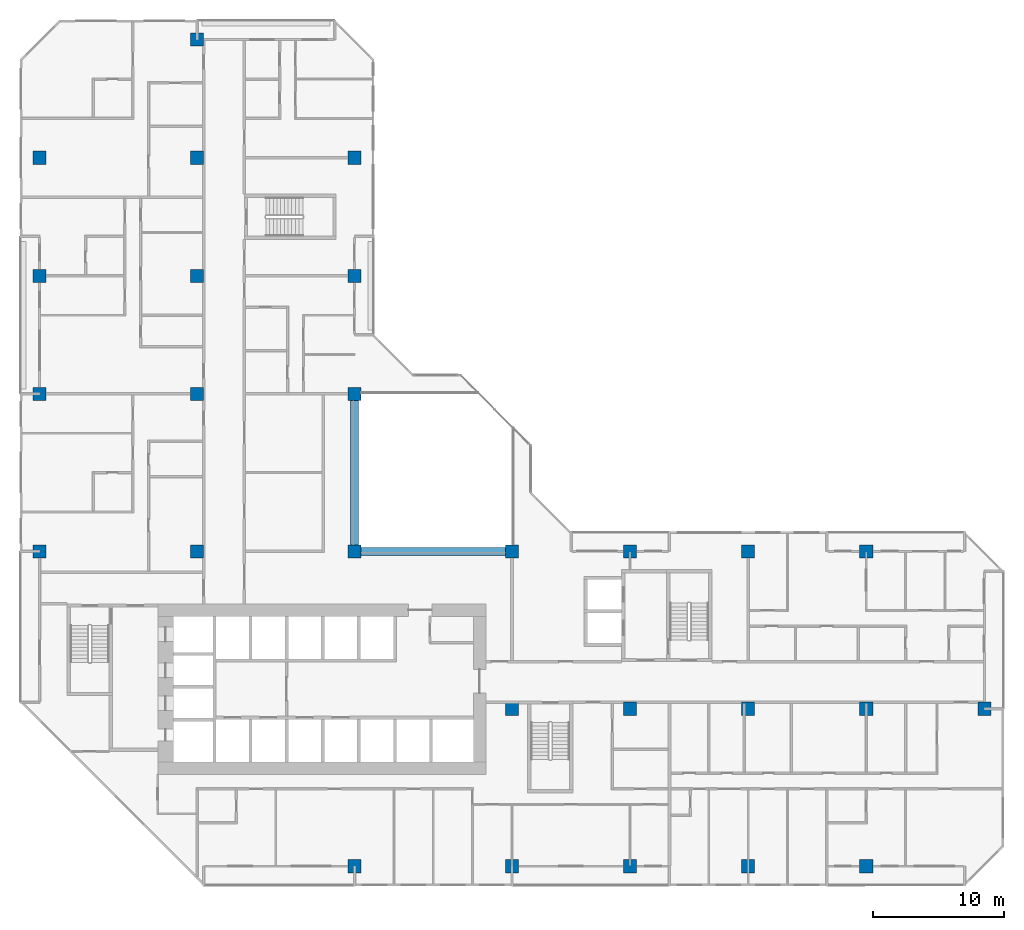
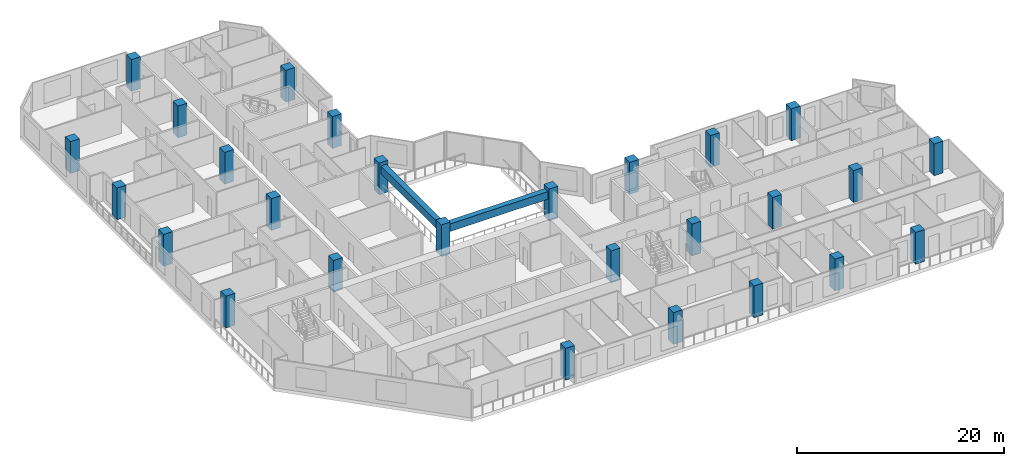
# One storey, part 1 of 15: 27 columns, 2 beams.
"""IFC4 building model written with IfcOpenShell, lengths in metres."""

from ifc_helpers import new_model, si_unit, direction, frame, origin, origin_2d, place, context, subcontext, project, spatial, rectangle, extrude, material, material_profile, profile_set, type_object, element, save


model = new_model("IFC4")

# Units and contexts
model_context = context("Model", 3, precision=1e-05, world=origin(), true_north=direction((0.0, 1.0)))
body_context = subcontext(model_context, "Body", "Model", "MODEL_VIEW")
ifc_project = project(units=[si_unit("LENGTHUNIT", "METRE"), si_unit("AREAUNIT", "SQUARE_METRE"), si_unit("VOLUMEUNIT", "CUBIC_METRE"), si_unit("PLANEANGLEUNIT", "RADIAN"), si_unit("MASSUNIT", "GRAM", prefix="KILO")], contexts=[model_context])

# Site, building, storey
site_placement = place(None, origin())
site = spatial("IfcSite", under=ifc_project, at=site_placement, CompositionType="ELEMENT")
building_placement = place(site_placement, origin())
building = spatial("IfcBuilding", under=site, at=building_placement, Name="Chenar Terraces", CompositionType="ELEMENT")
storey_placement = place(building_placement, frame((0.0, 0.0, 133.14990234375)))
storey = spatial("IfcBuildingStorey", under=building, at=storey_placement, Name="L31", CompositionType="ELEMENT", Elevation=133.14990234375)

# Columns
ifc_material_1 = material(Name="Concrete C70/85", Category="concrete")
ifc_material_profile_1 = material_profile(ifc_material_1, rectangle(XDim=1.0, YDim=1.0, at=origin_2d()), Name="C 1000 x 1000")
ifc_profile_set_1 = profile_set([ifc_material_profile_1], Name="Concrete C70/85")
column_type = type_object("IfcColumnType", Name="Column C 1000 x 1000 Concrete C70/85", PredefinedType="COLUMN", material=ifc_profile_set_1)
column_1_placement = place(storey_placement, frame((0.0, 24.0, 0.0), z_axis=(0.0, 0.0, 1.0), x_axis=(1.0, 0.0, 0.0)))
element("IfcColumn", 1, at=column_1_placement, inside=storey, type_object=column_type, Name="Column 5/G L31", PredefinedType="COLUMN", context=body_context, shape_type="SweptSolid", body=[
    extrude(rectangle(XDim=1.0, YDim=1.0, at=origin_2d()), origin(), (0.0, 0.0, 1.0), 3.75),
])
column_2_placement = place(storey_placement, frame((0.0, 36.0, 0.0), z_axis=(0.0, 0.0, 1.0), x_axis=(1.0, 0.0, 0.0)))
element("IfcColumn", 2, at=column_2_placement, inside=storey, type_object=column_type, Name="Column 5/H L31", PredefinedType="COLUMN", context=body_context, shape_type="SweptSolid", body=[
    extrude(rectangle(XDim=1.0, YDim=1.0, at=origin_2d()), origin(), (0.0, 0.0, 1.0), 3.75),
])
for number, where, z_axis, x_axis, name in (
    (3, (0.0, 45.0, 0.0), (0.0, 0.0, 1.0), (1.0, 0.0, 0.0), "Column 5/J L31"),
    (4, (0.0, 54.0, 0.0), (0.0, 0.0, 1.0), (1.0, 0.0, 0.0), "Column 5/K L31"),
    (5, (12.0, 24.0, 0.0), (0.0, 0.0, 1.0), (1.0, 0.0, 0.0), "Column 6/G L31"),
    (6, (12.0, 36.0, 0.0), (0.0, 0.0, 1.0), (1.0, 0.0, 0.0), "Column 6/H L31"),
    (7, (12.0, 45.0, 0.0), (0.0, 0.0, 1.0), (1.0, 0.0, 0.0), "Column 6/J L31"),
    (8, (12.0, 54.0, 0.0), (0.0, 0.0, 1.0), (1.0, 0.0, 0.0), "Column 6/K L31"),
    (9, (12.0, 63.0, 0.0), (0.0, 0.0, 1.0), (1.0, 0.0, 0.0), "Column 6/L L31"),
    (10, (24.0, 0.0, 0.0), (0.0, 0.0, 1.0), (1.0, 0.0, 0.0), "Column 7/E L31"),
    (11, (24.0, 24.0, 0.0), (0.0, 0.0, 1.0), (1.0, 0.0, 0.0), "Column 7/G L31"),
    (12, (24.0, 36.0, 0.0), (0.0, 0.0, 1.0), (1.0, 0.0, 0.0), "Column 7/H L31"),
    (13, (24.0, 45.0, 0.0), (0.0, 0.0, 1.0), (1.0, 0.0, 0.0), "Column 7/J L31"),
    (14, (24.0, 54.0, 0.0), (0.0, 0.0, 1.0), (1.0, 0.0, 0.0), "Column 7/K L31"),
    (15, (36.0, 0.0, 0.0), (0.0, 0.0, 1.0), (1.0, 0.0, 0.0), "Column 8/E L31"),
    (16, (36.0, 12.0, 0.0), (0.0, 0.0, 1.0), (1.0, 0.0, 0.0), "Column 8/F L31"),
    (17, (36.0, 24.0, 0.0), (0.0, 0.0, 1.0), (1.0, 0.0, 0.0), "Column 8/G L31"),
    (18, (45.0, 0.0, 0.0), (0.0, 0.0, 1.0), (1.0, 0.0, 0.0), "Column 9/E L31"),
    (19, (45.0, 12.0, 0.0), (0.0, 0.0, 1.0), (1.0, 0.0, 0.0), "Column 9/F L31"),
    (20, (45.0, 24.0, 0.0), (0.0, 0.0, 1.0), (1.0, 0.0, 0.0), "Column 9/G L31"),
    (21, (54.0, 0.0, 0.0), (0.0, 0.0, 1.0), (1.0, 0.0, 0.0), "Column 10/E L31"),
    (22, (54.0, 12.0, 0.0), (0.0, 0.0, 1.0), (1.0, 0.0, 0.0), "Column 10/F L31"),
    (23, (54.0, 24.0, 0.0), (0.0, 0.0, 1.0), (1.0, 0.0, 0.0), "Column 10/G L31"),
    (24, (63.0, 0.0, 0.0), (0.0, 0.0, 1.0), (1.0, 0.0, 0.0), "Column 11/E L31"),
    (25, (63.0, 12.0, 0.0), (0.0, 0.0, 1.0), (1.0, 0.0, 0.0), "Column 11/F L31"),
    (26, (63.0, 24.0, 0.0), (0.0, 0.0, 1.0), (1.0, 0.0, 0.0), "Column 11/G L31"),
    (27, (72.0, 12.0, 0.0), (0.0, 0.0, 1.0), (1.0, 0.0, 0.0), "Column 12/F L31"),
):
    element("IfcColumn", number, at=place(storey_placement, frame(where, z_axis=z_axis, x_axis=x_axis)), inside=storey, type_object=column_type, Name=name, PredefinedType="COLUMN", context=body_context, shape_type="SweptSolid", body=[
        extrude(rectangle(XDim=1.0, YDim=1.0, at=origin_2d()), origin(), (0.0, 0.0, 1.0), 3.75),
    ])

# Beams
ifc_material_2 = material(Name="Concrete C40/50", Category="concrete")
ifc_material_profile_2 = material_profile(ifc_material_2, rectangle(XDim=0.60009765625, YDim=0.89990234375, at=origin_2d()), Name="RC 600 x 900")
ifc_profile_set_2 = profile_set([ifc_material_profile_2], Name="Concrete C40/50")
beam_type = type_object("IfcBeamType", Name="Atrium edge beam 600 x 900 Concrete C40/50", PredefinedType="BEAM", material=ifc_profile_set_2)
for number, where, z_axis, x_axis, name in (
    (28, (24.5, 24.0, 2.900146484375), (1.0, 0.0, 0.0), (0.0, 1.0, 0.0), "Atrium edge beam L32 1"),
    (29, (24.0, 35.5, 2.900146484375), (0.0, -1.0, 0.0), (1.0, 0.0, 0.0), "Atrium edge beam L32 4"),
):
    element("IfcBeam", number, at=place(storey_placement, frame(where, z_axis=z_axis, x_axis=x_axis)), inside=storey, type_object=beam_type, Name=name, PredefinedType="BEAM", context=body_context, shape_type="SweptSolid", body=[
        extrude(rectangle(XDim=0.60009765625, YDim=0.89990234375, at=origin_2d()), origin(), (0.0, 0.0, 1.0), 11.0),
    ])

save(model, "model.ifc")
